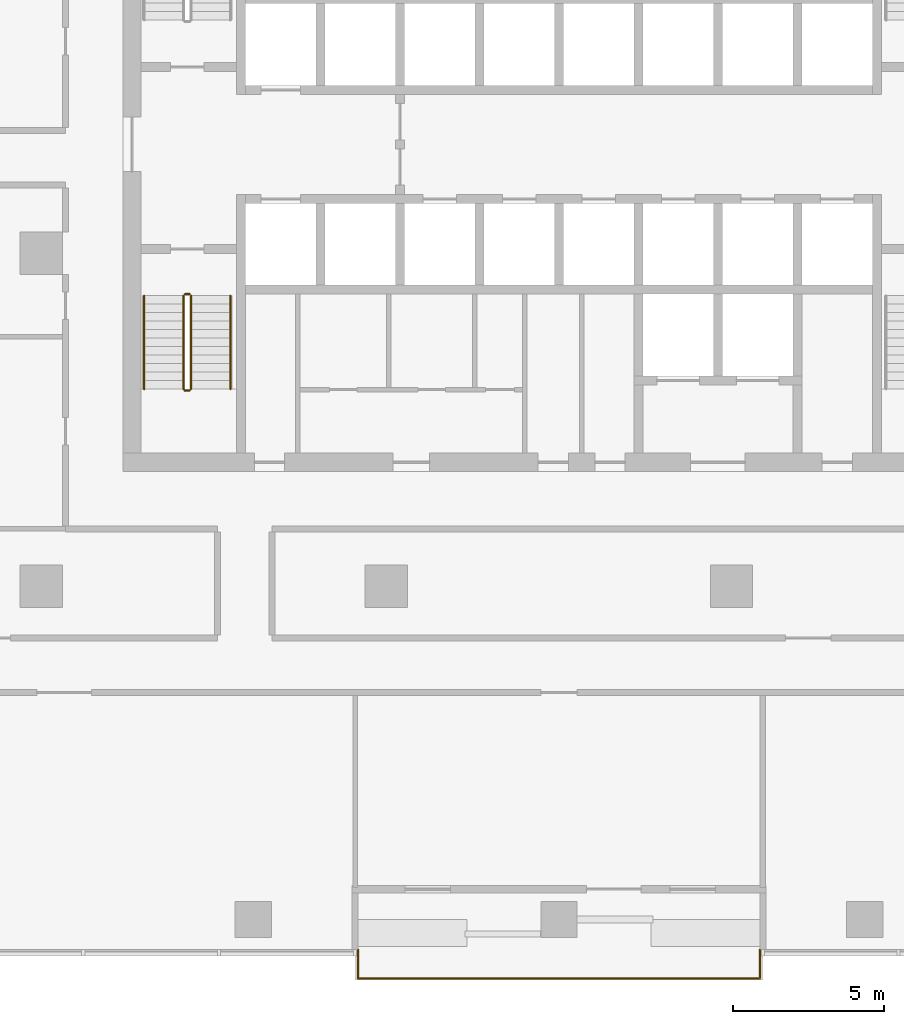
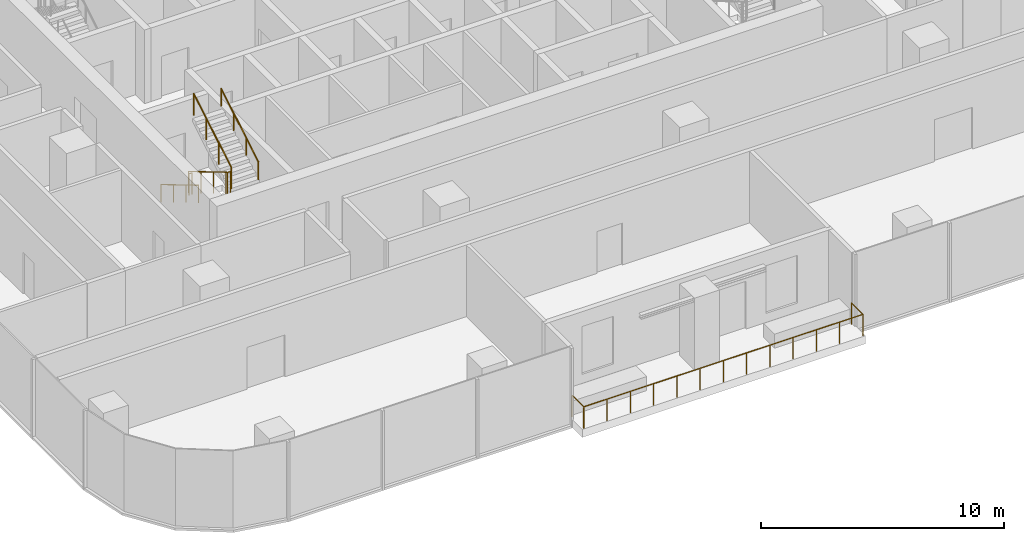
# One storey, part 11 of 14: 6 railings.
"""IFC4 building model written with IfcOpenShell, lengths in metres."""

from ifc_helpers import new_model, si_unit, direction, frame, origin, origin_2d, place, context, subcontext, project, spatial, circle, extrude, material, type_object, element, save


model = new_model("IFC4")

# Units and contexts
model_context = context("Model", 3, precision=1e-05, world=origin(), true_north=direction((0.0, 1.0)))
body_context = subcontext(model_context, "Body", "Model", "MODEL_VIEW")
ifc_project = project(units=[si_unit("LENGTHUNIT", "METRE"), si_unit("AREAUNIT", "SQUARE_METRE"), si_unit("VOLUMEUNIT", "CUBIC_METRE"), si_unit("PLANEANGLEUNIT", "RADIAN"), si_unit("MASSUNIT", "GRAM", prefix="KILO")], contexts=[model_context])

# Site, building, storey
site_placement = place(None, origin())
site = spatial("IfcSite", under=ifc_project, at=site_placement, CompositionType="ELEMENT")
building_placement = place(site_placement, origin())
building = spatial("IfcBuilding", under=site, at=building_placement, Name="Mopane Tessera Tower", CompositionType="ELEMENT")
storey_placement = place(building_placement, frame((0.0, 0.0, 161.0)))
storey = spatial("IfcBuildingStorey", under=building, at=storey_placement, Name="L32", CompositionType="ELEMENT", Elevation=161.0)

# Railings
ifc_material_1 = material(Name="Powder-coated steel balustrade", Category="steel")
railing_type_1 = type_object("IfcRailingType", Name="Escape stair guard 1100 mm", PredefinedType="GUARDRAIL", material=ifc_material_1)
railing_1_placement = place(storey_placement, frame((-12.39990234375, -1.39990234375, 0.166748046875)))
element("IfcRailing", 1, at=railing_1_placement, inside=storey, type_object=railing_type_1, Name="L32 ST1 stair guard 1", PredefinedType="GUARDRAIL", context=body_context, shape_type="SweptSolid", body=[
    extrude(circle(Radius=0.02392578125, at=origin_2d()), frame((0.0, 0.0, 1.076171875), z_axis=(0.0, -0.859308565015, 0.511457515432), x_axis=(1.0, 0.0, 0.0)), (0.0, 0.0, 1.0), 3.58447265625),
    extrude(circle(Radius=0.02392578125, at=origin_2d()), frame((0.0, -3.080078125, 2.9091796875), z_axis=(0.705375805398, -0.708833529934, 0.0), x_axis=(0.708833529934, 0.705375805398, 0.0)), (0.0, 0.0, 1.0), 0.070556640625),
    extrude(circle(Radius=0.02392578125, at=origin_2d()), frame((0.0498046875, -3.130126953125, 2.9091796875), z_axis=(1.0, 0.0, 0.0), x_axis=(0.0, 1.0, 0.0)), (0.0, 0.0, 1.0), 0.150146484375),
    extrude(circle(Radius=0.02099609375, at=origin_2d()), origin(), (0.0, 0.0, 1.0), 1.052001953125),
    extrude(circle(Radius=0.02099609375, at=origin_2d()), frame((0.0, -1.026611328125, 0.611083984375)), (0.0, 0.0, 1.0), 1.052001953125),
    extrude(circle(Radius=0.02099609375, at=origin_2d()), frame((0.0, -2.053466796875, 1.22216796875)), (0.0, 0.0, 1.0), 1.052001953125),
    extrude(circle(Radius=0.02099609375, at=origin_2d()), frame((0.0, -3.080078125, 1.833251953125)), (0.0, 0.0, 1.0), 1.052001953125),
    extrude(circle(Radius=0.02099609375, at=origin_2d()), frame((0.0498046875, -3.130126953125, 1.833251953125)), (0.0, 0.0, 1.0), 1.052001953125),
    extrude(circle(Radius=0.02099609375, at=origin_2d()), frame((0.199951171875, -3.130126953125, 1.833251953125)), (0.0, 0.0, 1.0), 1.052001953125),
])
railing_2_placement = place(storey_placement, frame((-12.14990234375, -4.47998046875, 2.166748046875)))
element("IfcRailing", 2, at=railing_2_placement, inside=storey, type_object=railing_type_1, Name="L32 ST1 stair guard 2", PredefinedType="GUARDRAIL", context=body_context, shape_type="SweptSolid", body=[
    extrude(circle(Radius=0.02392578125, at=origin_2d()), frame((0.0, 0.0, 1.076171875), z_axis=(0.0, 0.859308565015, 0.511457515432), x_axis=(-1.0, 0.0, 0.0)), (0.0, 0.0, 1.0), 3.58447265625),
    extrude(circle(Radius=0.02099609375, at=origin_2d()), origin(), (0.0, 0.0, 1.0), 1.052001953125),
    extrude(circle(Radius=0.02099609375, at=origin_2d()), frame((0.0, 1.026611328125, 0.611083984375)), (0.0, 0.0, 1.0), 1.052001953125),
    extrude(circle(Radius=0.02099609375, at=origin_2d()), frame((0.0, 2.053466796875, 1.22216796875)), (0.0, 0.0, 1.0), 1.052001953125),
    extrude(circle(Radius=0.02099609375, at=origin_2d()), frame((0.0, 3.080078125, 1.833251953125)), (0.0, 0.0, 1.0), 1.052001953125),
])
railing_3_placement = place(storey_placement, frame((-12.35009765625, -1.35009765625, 0.0)))
element("IfcRailing", 3, at=railing_3_placement, inside=storey, type_object=railing_type_1, Name="L32 ST1 stair guard 3", PredefinedType="GUARDRAIL", context=body_context, shape_type="SweptSolid", body=[
    extrude(circle(Radius=0.02392578125, at=origin_2d()), frame((0.0, 0.0, 1.076171875), z_axis=(1.0, 0.0, 0.0), x_axis=(0.0, 1.0, 0.0)), (0.0, 0.0, 1.0), 0.150146484375),
    extrude(circle(Radius=0.02099609375, at=origin_2d()), origin(), (0.0, 0.0, 1.0), 1.052001953125),
    extrude(circle(Radius=0.02099609375, at=origin_2d()), frame((0.150146484375, 0.0, 0.0)), (0.0, 0.0, 1.0), 1.052001953125),
])
ifc_material_2 = material(Name="Powder-coated steel balustrade", Category="steel")
railing_type_2 = type_object("IfcRailingType", Name="Escape stair handrail 900 mm", PredefinedType="HANDRAIL", material=ifc_material_2)
railing_4_placement = place(storey_placement, frame((-13.699951171875, -1.39990234375, 0.166748046875)))
element("IfcRailing", 4, at=railing_4_placement, inside=storey, type_object=railing_type_2, Name="L32 ST1 stair handrail 1", PredefinedType="HANDRAIL", context=body_context, shape_type="SweptSolid", body=[
    extrude(circle(Radius=0.02392578125, at=origin_2d()), frame((0.0, 0.0, 0.8759765625), z_axis=(0.0, -0.859308565015, 0.511457515432), x_axis=(1.0, 0.0, 0.0)), (0.0, 0.0, 1.0), 3.58447265625),
    extrude(circle(Radius=0.02099609375, at=origin_2d()), origin(), (0.0, 0.0, 1.0), 0.851806640625),
    extrude(circle(Radius=0.02099609375, at=origin_2d()), frame((0.0, -1.026611328125, 0.611083984375)), (0.0, 0.0, 1.0), 0.851806640625),
    extrude(circle(Radius=0.02099609375, at=origin_2d()), frame((0.0, -2.053466796875, 1.22216796875)), (0.0, 0.0, 1.0), 0.851806640625),
    extrude(circle(Radius=0.02099609375, at=origin_2d()), frame((0.0, -3.080078125, 1.833251953125)), (0.0, 0.0, 1.0), 0.851806640625),
])
railing_5_placement = place(storey_placement, frame((-10.85009765625, -4.47998046875, 2.166748046875)))
element("IfcRailing", 5, at=railing_5_placement, inside=storey, type_object=railing_type_2, Name="L32 ST1 stair handrail 2", PredefinedType="HANDRAIL", context=body_context, shape_type="SweptSolid", body=[
    extrude(circle(Radius=0.02392578125, at=origin_2d()), frame((0.0, 0.0, 0.8759765625), z_axis=(0.0, 0.859308565015, 0.511457515432), x_axis=(-1.0, 0.0, 0.0)), (0.0, 0.0, 1.0), 3.58447265625),
    extrude(circle(Radius=0.02099609375, at=origin_2d()), origin(), (0.0, 0.0, 1.0), 0.851806640625),
    extrude(circle(Radius=0.02099609375, at=origin_2d()), frame((0.0, 1.026611328125, 0.611083984375)), (0.0, 0.0, 1.0), 0.851806640625),
    extrude(circle(Radius=0.02099609375, at=origin_2d()), frame((0.0, 2.053466796875, 1.22216796875)), (0.0, 0.0, 1.0), 0.851806640625),
    extrude(circle(Radius=0.02099609375, at=origin_2d()), frame((0.0, 3.080078125, 1.833251953125)), (0.0, 0.0, 1.0), 0.851806640625),
])
ifc_material_3 = material(Name="Stainless steel S316", Category="steel")
railing_type_3 = type_object("IfcRailingType", Name="Terrace guard 1100", PredefinedType="GUARDRAIL", material=ifc_material_3)
railing_6_placement = place(storey_placement, frame((-6.63330078125, -23.0, 0.0)))
element("IfcRailing", 6, at=railing_6_placement, inside=storey, type_object=railing_type_3, Name="e:nw:L32:N2:guard", PredefinedType="GUARDRAIL", context=body_context, shape_type="SweptSolid", body=[
    extrude(circle(Radius=0.02392578125, at=origin_2d()), frame((0.0, 0.0, 1.076171875), z_axis=(0.0, -1.0, 0.0), x_axis=(1.0, 0.0, 0.0)), (0.0, 0.0, 1.0), 0.949951171875),
    extrude(circle(Radius=0.02392578125, at=origin_2d()), frame((0.0, -0.949951171875, 1.076171875), z_axis=(1.0, 0.0, 0.0), x_axis=(0.0, 1.0, 0.0)), (0.0, 0.0, 1.0), 13.2666015625),
    extrude(circle(Radius=0.02392578125, at=origin_2d()), frame((13.2666015625, -0.949951171875, 1.076171875), z_axis=(0.0, 1.0, 0.0), x_axis=(-1.0, 0.0, 0.0)), (0.0, 0.0, 1.0), 0.949951171875),
    extrude(circle(Radius=0.02099609375, at=origin_2d()), origin(), (0.0, 0.0, 1.0), 1.052001953125),
    extrude(circle(Radius=0.02099609375, at=origin_2d()), frame((0.0, -0.949951171875, 0.0)), (0.0, 0.0, 1.0), 1.052001953125),
    extrude(circle(Radius=0.02099609375, at=origin_2d()), frame((1.10546875, -0.949951171875, 0.0)), (0.0, 0.0, 1.0), 1.052001953125),
    extrude(circle(Radius=0.02099609375, at=origin_2d()), frame((2.211181640625, -0.949951171875, 0.0)), (0.0, 0.0, 1.0), 1.052001953125),
    extrude(circle(Radius=0.02099609375, at=origin_2d()), frame((3.316650390625, -0.949951171875, 0.0)), (0.0, 0.0, 1.0), 1.052001953125),
    extrude(circle(Radius=0.02099609375, at=origin_2d()), frame((4.422119140625, -0.949951171875, 0.0)), (0.0, 0.0, 1.0), 1.052001953125),
    extrude(circle(Radius=0.02099609375, at=origin_2d()), frame((5.52783203125, -0.949951171875, 0.0)), (0.0, 0.0, 1.0), 1.052001953125),
    extrude(circle(Radius=0.02099609375, at=origin_2d()), frame((6.63330078125, -0.949951171875, 0.0)), (0.0, 0.0, 1.0), 1.052001953125),
    extrude(circle(Radius=0.02099609375, at=origin_2d()), frame((7.73876953125, -0.949951171875, 0.0)), (0.0, 0.0, 1.0), 1.052001953125),
    extrude(circle(Radius=0.02099609375, at=origin_2d()), frame((8.844482421875, -0.949951171875, 0.0)), (0.0, 0.0, 1.0), 1.052001953125),
    extrude(circle(Radius=0.02099609375, at=origin_2d()), frame((9.949951171875, -0.949951171875, 0.0)), (0.0, 0.0, 1.0), 1.052001953125),
    extrude(circle(Radius=0.02099609375, at=origin_2d()), frame((11.055419921875, -0.949951171875, 0.0)), (0.0, 0.0, 1.0), 1.052001953125),
    extrude(circle(Radius=0.02099609375, at=origin_2d()), frame((12.1611328125, -0.949951171875, 0.0)), (0.0, 0.0, 1.0), 1.052001953125),
    extrude(circle(Radius=0.02099609375, at=origin_2d()), frame((13.2666015625, -0.949951171875, 0.0)), (0.0, 0.0, 1.0), 1.052001953125),
    extrude(circle(Radius=0.02099609375, at=origin_2d()), frame((13.2666015625, 0.0, 0.0)), (0.0, 0.0, 1.0), 1.052001953125),
])

save(model, "model.ifc")
